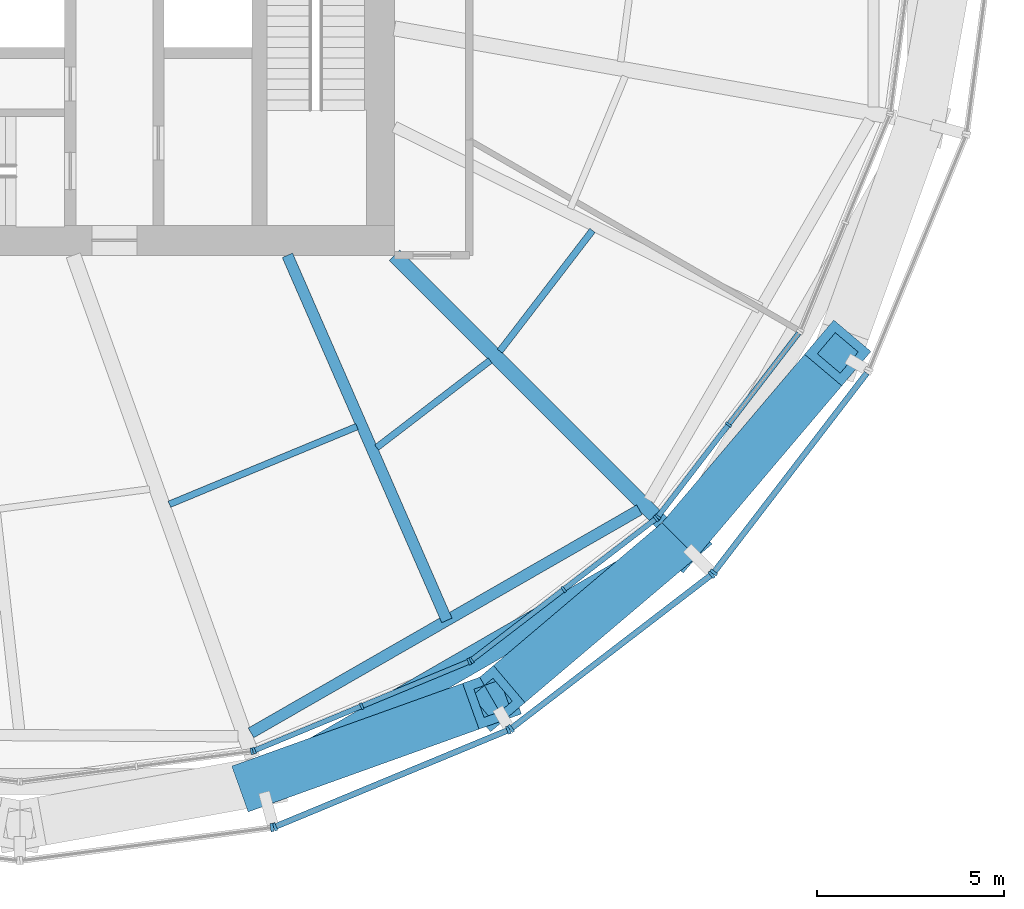
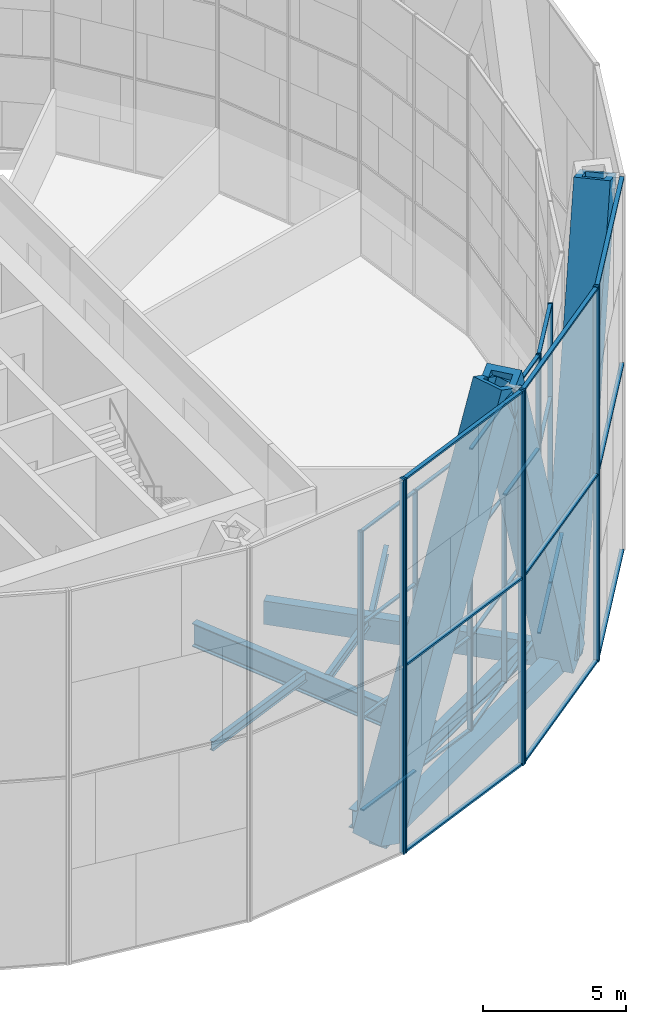
# One storey, part 4 of 26: 48 members, 7 beams, 8 elements without a shape of their own.
"""IFC4 building model written with IfcOpenShell, lengths in metres."""

from ifc_helpers import new_model, si_unit, direction, frame, origin, origin_2d, place, context, subcontext, project, spatial, rectangle, hollow_rectangle, i_section, extrude, material, material_profile, profile_set, type_object, element, aggregate, save


model = new_model("IFC4")

# Units and contexts
model_context = context("Model", 3, precision=1e-05, world=origin(), true_north=direction((0.0, 1.0)))
body_context = subcontext(model_context, "Body", "Model", "MODEL_VIEW")
ifc_project = project(units=[si_unit("LENGTHUNIT", "METRE"), si_unit("AREAUNIT", "SQUARE_METRE"), si_unit("VOLUMEUNIT", "CUBIC_METRE"), si_unit("PLANEANGLEUNIT", "RADIAN"), si_unit("MASSUNIT", "GRAM", prefix="KILO")], contexts=[model_context])

# Site, building, storey
site_placement = place(None, origin())
site = spatial("IfcSite", under=ifc_project, at=site_placement, CompositionType="ELEMENT")
building_placement = place(site_placement, origin())
building = spatial("IfcBuilding", under=site, at=building_placement, Name="Golbaran Civic Tower", CompositionType="ELEMENT")
storey_placement = place(building_placement, frame((0.0, 0.0, 69.0)))
storey = spatial("IfcBuildingStorey", under=building, at=storey_placement, Name="L16", CompositionType="ELEMENT", Elevation=69.0)

# Members
ifc_material_1 = material(Name="Steel S355", Category="steel")
ifc_material_profile_1 = material_profile(ifc_material_1, hollow_rectangle(XDim=1.300048828125, YDim=1.300048828125, WallThickness=0.25, at=origin_2d()), Name="BOX 1300x1300x250")
ifc_profile_set_1 = profile_set([ifc_material_profile_1], Name="Steel S355")
member_type_1 = type_object("IfcMemberType", Name="DIAGRID DIAGONAL BOX 1300x1300x250", PredefinedType="BRACE", material=ifc_profile_set_1)
for number, where, z_axis, x_axis, name in (
    (1, (6.4423828125, -24.04296875, -0.7099609375), (0.356500071861, 0.127819765109, 0.925510565262), (-0.337503066276, 0.941324428799, 0.0), "Diagonal D03-09R L16-L20"),
    (2, (17.6005859375, -17.6005859375, -0.7099609375), (0.244835995768, 0.288939520875, 0.925510285439), (-0.762932071589, 0.646478657143, 0.0), "Diagonal D03-10R L16-L20"),
    (3, (17.6005859375, -17.6005859375, -0.7099609375), (-0.288939520875, -0.244835995768, 0.925510285439), (0.646478657143, -0.762932071589, 0.0), "Diagonal D03-10L L16-L20"),
):
    element("IfcMember", number, at=place(storey_placement, frame(where, z_axis=z_axis, x_axis=x_axis)), inside=storey, type_object=member_type_1, Name=name, PredefinedType="BRACE", context=body_context, shape_type="SweptSolid", body=[
        extrude(hollow_rectangle(XDim=1.300048828125, YDim=1.300048828125, WallThickness=0.25, at=origin_2d()), origin(), (0.0, 0.0, 1.0), 17.287841796875),
    ])

# Beams
ifc_material_profile_2 = material_profile(ifc_material_1, hollow_rectangle(XDim=0.699951171875, YDim=0.699951171875, WallThickness=0.080078125, at=origin_2d()), Name="BOX 700x700x80")
ifc_profile_set_2 = profile_set([ifc_material_profile_2], Name="Steel S355")
beam_type_1 = type_object("IfcBeamType", Name="DIAGRID RING TIE BOX 700x700x80", PredefinedType="BEAM", material=ifc_profile_set_2)
beam_1_placement = place(storey_placement, frame((6.4423828125, -24.04296875, -0.7099609375), z_axis=(0.866018976832, 0.500011131643, 0.0), x_axis=(-0.500011131643, 0.866018976832, 0.0)))
element("IfcBeam", 4, at=beam_1_placement, inside=storey, type_object=beam_type_1, Name="Ring tie 285.00 L16", PredefinedType="BEAM", context=body_context, shape_type="SweptSolid", body=[
    extrude(hollow_rectangle(XDim=0.699951171875, YDim=0.699951171875, WallThickness=0.080078125, at=origin_2d()), origin(), (0.0, 0.0, 1.0), 12.884521484375),
])
ifc_material_profile_3 = material_profile(ifc_material_1, i_section(OverallWidth=0.300048828125, OverallDepth=0.800048828125, WebThickness=0.017578125, FlangeThickness=0.032958984375, FilletRadius=0.030029296875, at=origin_2d()), Name="HEB 800")
ifc_profile_set_3 = profile_set([ifc_material_profile_3], Name="Steel S355")
beam_type_2 = type_object("IfcBeamType", Name="EDGE BEAM HEB 800", PredefinedType="BEAM", material=ifc_profile_set_3)
beam_2_placement = place(storey_placement, frame((6.171142578125, -22.748046875, -0.60009765625), z_axis=(0.867116238809, 0.498105840554, 0.0), x_axis=(-0.498105840554, 0.867116238809, 0.0)))
element("IfcBeam", 5, at=beam_2_placement, inside=storey, type_object=beam_type_2, Name="Edge beam 285.00 L16", PredefinedType="BEAM", context=body_context, shape_type="SweptSolid", body=[
    extrude(i_section(OverallWidth=0.300048828125, OverallDepth=0.800048828125, WebThickness=0.017578125, FlangeThickness=0.032958984375, FilletRadius=0.030029296875, at=origin_2d()), origin(), (0.0, 0.0, 1.0), 11.9560546875),
])
ifc_material_profile_4 = material_profile(ifc_material_1, i_section(OverallWidth=0.179931640625, OverallDepth=0.39990234375, WebThickness=0.008544921875, FlangeThickness=0.013427734375, FilletRadius=0.02099609375, at=origin_2d()), Name="IPE 400")
ifc_profile_set_4 = profile_set([ifc_material_profile_4], Name="Steel S355")
beam_type_3 = type_object("IfcBeamType", Name="FLOOR INFILL BEAM IPE 400", PredefinedType="BEAM", material=ifc_profile_set_4)
beam_3_placement = place(storey_placement, frame((3.992431640625, -16.645751953125, -0.39990234375), z_axis=(0.923880088216, 0.382682090773, 0.0), x_axis=(-0.382682090773, 0.923880088216, 0.0)))
element("IfcBeam", 6, at=beam_3_placement, inside=storey, type_object=beam_type_3, Name="Infill beam 292.50 L16", PredefinedType="BEAM", context=body_context, shape_type="SweptSolid", body=[
    extrude(i_section(OverallWidth=0.179931640625, OverallDepth=0.39990234375, WebThickness=0.008544921875, FlangeThickness=0.013427734375, FilletRadius=0.02099609375, at=origin_2d()), origin(), (0.0, 0.0, 1.0), 5.418212890625),
])
beam_4_placement = place(storey_placement, frame((9.526123046875, -15.13134765625, -0.39990234375), z_axis=(0.79334166037, 0.608776650276, 0.0), x_axis=(-0.608776650276, 0.79334166037, 0.0)))
element("IfcBeam", 7, at=beam_4_placement, inside=storey, type_object=beam_type_3, Name="Infill beam 307.50 L16", PredefinedType="BEAM", context=body_context, shape_type="SweptSolid", body=[
    extrude(i_section(OverallWidth=0.179931640625, OverallDepth=0.39990234375, WebThickness=0.008544921875, FlangeThickness=0.013427734375, FilletRadius=0.02099609375, at=origin_2d()), origin(), (0.0, 0.0, 1.0), 3.816162109375),
])
beam_5_placement = place(storey_placement, frame((12.813232421875, -12.55859375, -0.39990234375), z_axis=(0.608754558613, 0.793358612084, 0.0), x_axis=(-0.793358612084, 0.608754558613, 0.0)))
element("IfcBeam", 8, at=beam_5_placement, inside=storey, type_object=beam_type_3, Name="Infill beam 322.50 L16", PredefinedType="BEAM", context=body_context, shape_type="SweptSolid", body=[
    extrude(i_section(OverallWidth=0.179931640625, OverallDepth=0.39990234375, WebThickness=0.008544921875, FlangeThickness=0.013427734375, FilletRadius=0.02099609375, at=origin_2d()), origin(), (0.0, 0.0, 1.0), 4.0615234375),
])

# Curtain wall, member
ifc_material_2 = material(Name="Aluminium and glass", Category="aluminium")
curtain_wall_type_1 = type_object("IfcCurtainWallType", Name="INNER SKIN CURTAIN WALL", PredefinedType="NOTDEFINED", material=ifc_material_2)
curtain_wall_1_placement = place(storey_placement, origin())
curtain_wall_1 = element("IfcCurtainWall", 9, at=curtain_wall_1_placement, inside=storey, type_object=curtain_wall_type_1, Name="Inner skin L16 facet 19 CW1", ObjectType="INNER SKIN", PredefinedType="USERDEFINED")
ifc_material_3 = material(Name="Aluminium", Category="aluminium")
ifc_material_profile_5 = material_profile(ifc_material_3, rectangle(XDim=0.179931640625, YDim=0.06494140625, at=origin_2d()), Name="INNER SKIN CURTAIN WALL MULLION")
ifc_profile_set_5 = profile_set([ifc_material_profile_5], Name="Aluminium")
member_type_2 = type_object("IfcMemberType", Name="INNER SKIN CURTAIN WALL MULLION", PredefinedType="MULLION", material=ifc_profile_set_5)
member_1_placement = place(storey_placement, frame((6.193115234375, -23.237548828125, 0.0), z_axis=(0.0, 0.0, 1.0), x_axis=(-0.130526192168, 0.991444861381, 0.0)))
member_1 = element("IfcMember", 10, at=member_1_placement, type_object=member_type_2, Name="CW1 mullion 3", PredefinedType="MULLION", context=body_context, shape_type="SweptSolid", body=[
    extrude(rectangle(XDim=0.179931640625, YDim=0.06494140625, at=origin_2d()), origin(), (0.0, 0.0, 1.0), 12.0),
])
aggregate(curtain_wall_1, [member_1])

# Curtain wall, members
curtain_wall_2_placement = place(storey_placement, origin())
curtain_wall_2 = element("IfcCurtainWall", 11, at=curtain_wall_2_placement, inside=storey, type_object=curtain_wall_type_1, Name="Inner skin L16 facet 20 CW1", ObjectType="INNER SKIN", PredefinedType="USERDEFINED")
member_2_placement = place(storey_placement, frame((6.25537109375, -23.220947265625, 0.0), z_axis=(0.0, 0.0, 1.0), x_axis=(-0.382683432446, 0.923879532478, 0.0)))
member_2 = element("IfcMember", 12, at=member_2_placement, type_object=member_type_2, Name="CW1 mullion 1", PredefinedType="MULLION", context=body_context, shape_type="SweptSolid", body=[
    extrude(rectangle(XDim=0.179931640625, YDim=0.06494140625, at=origin_2d()), origin(), (0.0, 0.0, 1.0), 12.0),
])
member_3_placement = place(storey_placement, frame((9.1259765625, -22.031982421875, 0.0), z_axis=(0.0, 0.0, 1.0), x_axis=(-0.382683432446, 0.923879532478, 0.0)))
member_3 = element("IfcMember", 13, at=member_3_placement, type_object=member_type_2, Name="CW1 mullion 2", PredefinedType="MULLION", context=body_context, shape_type="SweptSolid", body=[
    extrude(rectangle(XDim=0.179931640625, YDim=0.06494140625, at=origin_2d()), origin(), (0.0, 0.0, 1.0), 12.0),
])
member_4_placement = place(storey_placement, frame((11.99658203125, -20.843017578125, 0.0), z_axis=(0.0, 0.0, 1.0), x_axis=(-0.382683432446, 0.923879532478, 0.0)))
member_4 = element("IfcMember", 14, at=member_4_placement, type_object=member_type_2, Name="CW1 mullion 3", PredefinedType="MULLION", context=body_context, shape_type="SweptSolid", body=[
    extrude(rectangle(XDim=0.179931640625, YDim=0.06494140625, at=origin_2d()), origin(), (0.0, 0.0, 1.0), 12.0),
])

curtain_wall_3_placement = place(storey_placement, origin())
curtain_wall_3 = element("IfcCurtainWall", 15, at=curtain_wall_3_placement, inside=storey, type_object=curtain_wall_type_1, Name="Inner skin L16 facet 21 CW1", ObjectType="INNER SKIN", PredefinedType="USERDEFINED")
member_5_placement = place(storey_placement, frame((12.05224609375, -20.810791015625, 0.0), z_axis=(0.0, 0.0, 1.0), x_axis=(-0.608761428967, 0.793353340323, 0.0)))
member_5 = element("IfcMember", 16, at=member_5_placement, type_object=member_type_2, Name="CW1 mullion 1", PredefinedType="MULLION", context=body_context, shape_type="SweptSolid", body=[
    extrude(rectangle(XDim=0.179931640625, YDim=0.06494140625, at=origin_2d()), origin(), (0.0, 0.0, 1.0), 12.0),
])
member_6_placement = place(storey_placement, frame((14.517333984375, -18.919189453125, 0.0), z_axis=(0.0, 0.0, 1.0), x_axis=(-0.608761428967, 0.793353340323, 0.0)))
member_6 = element("IfcMember", 17, at=member_6_placement, type_object=member_type_2, Name="CW1 mullion 2", PredefinedType="MULLION", context=body_context, shape_type="SweptSolid", body=[
    extrude(rectangle(XDim=0.179931640625, YDim=0.06494140625, at=origin_2d()), origin(), (0.0, 0.0, 1.0), 12.0),
])
member_7_placement = place(storey_placement, frame((16.982177734375, -17.02783203125, 0.0), z_axis=(0.0, 0.0, 1.0), x_axis=(-0.608761428967, 0.793353340323, 0.0)))
member_7 = element("IfcMember", 18, at=member_7_placement, type_object=member_type_2, Name="CW1 mullion 3", PredefinedType="MULLION", context=body_context, shape_type="SweptSolid", body=[
    extrude(rectangle(XDim=0.179931640625, YDim=0.06494140625, at=origin_2d()), origin(), (0.0, 0.0, 1.0), 12.0),
])

curtain_wall_4_placement = place(storey_placement, origin())
curtain_wall_4 = element("IfcCurtainWall", 19, at=curtain_wall_4_placement, inside=storey, type_object=curtain_wall_type_1, Name="Inner skin L16 facet 22 CW1", ObjectType="INNER SKIN", PredefinedType="USERDEFINED")
member_8_placement = place(storey_placement, frame((17.02783203125, -16.982177734375, 0.0), z_axis=(0.0, 0.0, 1.0), x_axis=(-0.793353340323, 0.608761428967, 0.0)))
member_8 = element("IfcMember", 20, at=member_8_placement, type_object=member_type_2, Name="CW1 mullion 1", PredefinedType="MULLION", context=body_context, shape_type="SweptSolid", body=[
    extrude(rectangle(XDim=0.179931640625, YDim=0.06494140625, at=origin_2d()), origin(), (0.0, 0.0, 1.0), 12.0),
])
member_9_placement = place(storey_placement, frame((18.919189453125, -14.517333984375, 0.0), z_axis=(0.0, 0.0, 1.0), x_axis=(-0.793353340323, 0.608761428967, 0.0)))
member_9 = element("IfcMember", 21, at=member_9_placement, type_object=member_type_2, Name="CW1 mullion 2", PredefinedType="MULLION", context=body_context, shape_type="SweptSolid", body=[
    extrude(rectangle(XDim=0.179931640625, YDim=0.06494140625, at=origin_2d()), origin(), (0.0, 0.0, 1.0), 12.0),
])

# Member
ifc_material_profile_6 = material_profile(ifc_material_3, rectangle(XDim=0.139892578125, YDim=0.06494140625, at=origin_2d()), Name="INNER SKIN CURTAIN WALL TRANSOM")
ifc_profile_set_6 = profile_set([ifc_material_profile_6], Name="Aluminium")
member_type_3 = type_object("IfcMemberType", Name="INNER SKIN CURTAIN WALL TRANSOM", PredefinedType="USERDEFINED", material=ifc_profile_set_6)
member_10_placement = place(storey_placement, frame((6.285400390625, -23.20849609375, 0.032470703125), z_axis=(0.923891634543, 0.382654214168, 0.0), x_axis=(-0.382654214168, 0.923891634543, 0.0)))
member_10 = element("IfcMember", 22, at=member_10_placement, type_object=member_type_3, Name="CW1 transom 1.1", ObjectType="TRANSOM", PredefinedType="USERDEFINED", context=body_context, shape_type="SweptSolid", body=[
    extrude(rectangle(XDim=0.139892578125, YDim=0.06494140625, at=origin_2d()), origin(), (0.0, 0.0, 1.0), 3.0419921875),
])

member_11_placement = place(storey_placement, frame((6.285400390625, -23.20849609375, 4.0), z_axis=(0.923891634543, 0.382654214168, 0.0), x_axis=(-0.382654214168, 0.923891634543, 0.0)))
member_11 = element("IfcMember", 23, at=member_11_placement, type_object=member_type_3, Name="CW1 transom 1.2", ObjectType="TRANSOM", PredefinedType="USERDEFINED", context=body_context, shape_type="SweptSolid", body=[
    extrude(rectangle(XDim=0.139892578125, YDim=0.06494140625, at=origin_2d()), origin(), (0.0, 0.0, 1.0), 3.0419921875),
])

member_12_placement = place(storey_placement, frame((6.285400390625, -23.20849609375, 8.0), z_axis=(0.923891634543, 0.382654214168, 0.0), x_axis=(-0.382654214168, 0.923891634543, 0.0)))
member_12 = element("IfcMember", 24, at=member_12_placement, type_object=member_type_3, Name="CW1 transom 1.3", ObjectType="TRANSOM", PredefinedType="USERDEFINED", context=body_context, shape_type="SweptSolid", body=[
    extrude(rectangle(XDim=0.139892578125, YDim=0.06494140625, at=origin_2d()), origin(), (0.0, 0.0, 1.0), 3.0419921875),
])

member_13_placement = place(storey_placement, frame((6.285400390625, -23.20849609375, 11.967529296875), z_axis=(0.923891634543, 0.382654214168, 0.0), x_axis=(-0.382654214168, 0.923891634543, 0.0)))
member_13 = element("IfcMember", 25, at=member_13_placement, type_object=member_type_3, Name="CW1 transom 1.4", ObjectType="TRANSOM", PredefinedType="USERDEFINED", context=body_context, shape_type="SweptSolid", body=[
    extrude(rectangle(XDim=0.139892578125, YDim=0.06494140625, at=origin_2d()), origin(), (0.0, 0.0, 1.0), 3.0419921875),
])

member_14_placement = place(storey_placement, frame((9.156005859375, -22.01953125, 0.032470703125), z_axis=(0.923891634543, 0.382654214168, 0.0), x_axis=(-0.382654214168, 0.923891634543, 0.0)))
member_14 = element("IfcMember", 26, at=member_14_placement, type_object=member_type_3, Name="CW1 transom 2.1", ObjectType="TRANSOM", PredefinedType="USERDEFINED", context=body_context, shape_type="SweptSolid", body=[
    extrude(rectangle(XDim=0.139892578125, YDim=0.06494140625, at=origin_2d()), origin(), (0.0, 0.0, 1.0), 3.0419921875),
])

member_15_placement = place(storey_placement, frame((9.156005859375, -22.01953125, 4.0), z_axis=(0.923891634543, 0.382654214168, 0.0), x_axis=(-0.382654214168, 0.923891634543, 0.0)))
member_15 = element("IfcMember", 27, at=member_15_placement, type_object=member_type_3, Name="CW1 transom 2.2", ObjectType="TRANSOM", PredefinedType="USERDEFINED", context=body_context, shape_type="SweptSolid", body=[
    extrude(rectangle(XDim=0.139892578125, YDim=0.06494140625, at=origin_2d()), origin(), (0.0, 0.0, 1.0), 3.0419921875),
])

member_16_placement = place(storey_placement, frame((9.156005859375, -22.01953125, 8.0), z_axis=(0.923891634543, 0.382654214168, 0.0), x_axis=(-0.382654214168, 0.923891634543, 0.0)))
member_16 = element("IfcMember", 28, at=member_16_placement, type_object=member_type_3, Name="CW1 transom 2.3", ObjectType="TRANSOM", PredefinedType="USERDEFINED", context=body_context, shape_type="SweptSolid", body=[
    extrude(rectangle(XDim=0.139892578125, YDim=0.06494140625, at=origin_2d()), origin(), (0.0, 0.0, 1.0), 3.0419921875),
])

member_17_placement = place(storey_placement, frame((9.156005859375, -22.01953125, 11.967529296875), z_axis=(0.923891634543, 0.382654214168, 0.0), x_axis=(-0.382654214168, 0.923891634543, 0.0)))
member_17 = element("IfcMember", 29, at=member_17_placement, type_object=member_type_3, Name="CW1 transom 2.4", ObjectType="TRANSOM", PredefinedType="USERDEFINED", context=body_context, shape_type="SweptSolid", body=[
    extrude(rectangle(XDim=0.139892578125, YDim=0.06494140625, at=origin_2d()), origin(), (0.0, 0.0, 1.0), 3.0419921875),
])

aggregate(curtain_wall_2, [member_2, member_3, member_4, member_10, member_11, member_12, member_13, member_14, member_15, member_16, member_17])

member_18_placement = place(storey_placement, frame((12.078125, -20.791015625, 0.032470703125), z_axis=(0.79331563605, 0.608810562982, 0.0), x_axis=(-0.608810562982, 0.79331563605, 0.0)))
member_18 = element("IfcMember", 30, at=member_18_placement, type_object=member_type_3, Name="CW1 transom 1.1", ObjectType="TRANSOM", PredefinedType="USERDEFINED", context=body_context, shape_type="SweptSolid", body=[
    extrude(rectangle(XDim=0.139892578125, YDim=0.06494140625, at=origin_2d()), origin(), (0.0, 0.0, 1.0), 3.0419921875),
])

member_19_placement = place(storey_placement, frame((12.078125, -20.791015625, 4.0), z_axis=(0.79331563605, 0.608810562982, 0.0), x_axis=(-0.608810562982, 0.79331563605, 0.0)))
member_19 = element("IfcMember", 31, at=member_19_placement, type_object=member_type_3, Name="CW1 transom 1.2", ObjectType="TRANSOM", PredefinedType="USERDEFINED", context=body_context, shape_type="SweptSolid", body=[
    extrude(rectangle(XDim=0.139892578125, YDim=0.06494140625, at=origin_2d()), origin(), (0.0, 0.0, 1.0), 3.0419921875),
])

member_20_placement = place(storey_placement, frame((12.078125, -20.791015625, 8.0), z_axis=(0.79331563605, 0.608810562982, 0.0), x_axis=(-0.608810562982, 0.79331563605, 0.0)))
member_20 = element("IfcMember", 32, at=member_20_placement, type_object=member_type_3, Name="CW1 transom 1.3", ObjectType="TRANSOM", PredefinedType="USERDEFINED", context=body_context, shape_type="SweptSolid", body=[
    extrude(rectangle(XDim=0.139892578125, YDim=0.06494140625, at=origin_2d()), origin(), (0.0, 0.0, 1.0), 3.0419921875),
])

member_21_placement = place(storey_placement, frame((12.078125, -20.791015625, 11.967529296875), z_axis=(0.79331563605, 0.608810562982, 0.0), x_axis=(-0.608810562982, 0.79331563605, 0.0)))
member_21 = element("IfcMember", 33, at=member_21_placement, type_object=member_type_3, Name="CW1 transom 1.4", ObjectType="TRANSOM", PredefinedType="USERDEFINED", context=body_context, shape_type="SweptSolid", body=[
    extrude(rectangle(XDim=0.139892578125, YDim=0.06494140625, at=origin_2d()), origin(), (0.0, 0.0, 1.0), 3.0419921875),
])

member_22_placement = place(storey_placement, frame((14.54296875, -18.8994140625, 0.032470703125), z_axis=(0.793384137592, 0.608721291082, 0.0), x_axis=(-0.608721291082, 0.793384137592, 0.0)))
member_22 = element("IfcMember", 34, at=member_22_placement, type_object=member_type_3, Name="CW1 transom 2.1", ObjectType="TRANSOM", PredefinedType="USERDEFINED", context=body_context, shape_type="SweptSolid", body=[
    extrude(rectangle(XDim=0.139892578125, YDim=0.06494140625, at=origin_2d()), origin(), (0.0, 0.0, 1.0), 3.042236328125),
])

member_23_placement = place(storey_placement, frame((14.54296875, -18.8994140625, 4.0), z_axis=(0.793384137592, 0.608721291082, 0.0), x_axis=(-0.608721291082, 0.793384137592, 0.0)))
member_23 = element("IfcMember", 35, at=member_23_placement, type_object=member_type_3, Name="CW1 transom 2.2", ObjectType="TRANSOM", PredefinedType="USERDEFINED", context=body_context, shape_type="SweptSolid", body=[
    extrude(rectangle(XDim=0.139892578125, YDim=0.06494140625, at=origin_2d()), origin(), (0.0, 0.0, 1.0), 3.042236328125),
])

member_24_placement = place(storey_placement, frame((14.54296875, -18.8994140625, 8.0), z_axis=(0.793384137592, 0.608721291082, 0.0), x_axis=(-0.608721291082, 0.793384137592, 0.0)))
member_24 = element("IfcMember", 36, at=member_24_placement, type_object=member_type_3, Name="CW1 transom 2.3", ObjectType="TRANSOM", PredefinedType="USERDEFINED", context=body_context, shape_type="SweptSolid", body=[
    extrude(rectangle(XDim=0.139892578125, YDim=0.06494140625, at=origin_2d()), origin(), (0.0, 0.0, 1.0), 3.042236328125),
])

member_25_placement = place(storey_placement, frame((14.54296875, -18.8994140625, 11.967529296875), z_axis=(0.793384137592, 0.608721291082, 0.0), x_axis=(-0.608721291082, 0.793384137592, 0.0)))
member_25 = element("IfcMember", 37, at=member_25_placement, type_object=member_type_3, Name="CW1 transom 2.4", ObjectType="TRANSOM", PredefinedType="USERDEFINED", context=body_context, shape_type="SweptSolid", body=[
    extrude(rectangle(XDim=0.139892578125, YDim=0.06494140625, at=origin_2d()), origin(), (0.0, 0.0, 1.0), 3.042236328125),
])

aggregate(curtain_wall_3, [member_5, member_6, member_7, member_18, member_19, member_20, member_21, member_22, member_23, member_24, member_25])

member_26_placement = place(storey_placement, frame((17.047607421875, -16.95654296875, 0.032470703125), z_axis=(0.608721291082, 0.793384137592, 0.0), x_axis=(-0.793384137592, 0.608721291082, 0.0)))
member_26 = element("IfcMember", 38, at=member_26_placement, type_object=member_type_3, Name="CW1 transom 1.1", ObjectType="TRANSOM", PredefinedType="USERDEFINED", context=body_context, shape_type="SweptSolid", body=[
    extrude(rectangle(XDim=0.139892578125, YDim=0.06494140625, at=origin_2d()), origin(), (0.0, 0.0, 1.0), 3.042236328125),
])

member_27_placement = place(storey_placement, frame((17.047607421875, -16.95654296875, 4.0), z_axis=(0.608721291082, 0.793384137592, 0.0), x_axis=(-0.793384137592, 0.608721291082, 0.0)))
member_27 = element("IfcMember", 39, at=member_27_placement, type_object=member_type_3, Name="CW1 transom 1.2", ObjectType="TRANSOM", PredefinedType="USERDEFINED", context=body_context, shape_type="SweptSolid", body=[
    extrude(rectangle(XDim=0.139892578125, YDim=0.06494140625, at=origin_2d()), origin(), (0.0, 0.0, 1.0), 3.042236328125),
])

member_28_placement = place(storey_placement, frame((17.047607421875, -16.95654296875, 8.0), z_axis=(0.608721291082, 0.793384137592, 0.0), x_axis=(-0.793384137592, 0.608721291082, 0.0)))
member_28 = element("IfcMember", 40, at=member_28_placement, type_object=member_type_3, Name="CW1 transom 1.3", ObjectType="TRANSOM", PredefinedType="USERDEFINED", context=body_context, shape_type="SweptSolid", body=[
    extrude(rectangle(XDim=0.139892578125, YDim=0.06494140625, at=origin_2d()), origin(), (0.0, 0.0, 1.0), 3.042236328125),
])

member_29_placement = place(storey_placement, frame((17.047607421875, -16.95654296875, 11.967529296875), z_axis=(0.608721291082, 0.793384137592, 0.0), x_axis=(-0.793384137592, 0.608721291082, 0.0)))
member_29 = element("IfcMember", 41, at=member_29_placement, type_object=member_type_3, Name="CW1 transom 1.4", ObjectType="TRANSOM", PredefinedType="USERDEFINED", context=body_context, shape_type="SweptSolid", body=[
    extrude(rectangle(XDim=0.139892578125, YDim=0.06494140625, at=origin_2d()), origin(), (0.0, 0.0, 1.0), 3.042236328125),
])

member_30_placement = place(storey_placement, frame((18.93896484375, -14.491455078125, 0.032470703125), z_axis=(0.608810562982, 0.79331563605, 0.0), x_axis=(-0.79331563605, 0.608810562982, 0.0)))
member_30 = element("IfcMember", 42, at=member_30_placement, type_object=member_type_3, Name="CW1 transom 2.1", ObjectType="TRANSOM", PredefinedType="USERDEFINED", context=body_context, shape_type="SweptSolid", body=[
    extrude(rectangle(XDim=0.139892578125, YDim=0.06494140625, at=origin_2d()), origin(), (0.0, 0.0, 1.0), 3.0419921875),
])

aggregate(curtain_wall_4, [member_8, member_9, member_26, member_27, member_28, member_29, member_30])

# Curtain wall, member
curtain_wall_type_2 = type_object("IfcCurtainWallType", Name="OUTER SKIN TERRACOTTA SCREEN", PredefinedType="NOTDEFINED", material=ifc_material_2)
curtain_wall_5_placement = place(storey_placement, origin())
curtain_wall_5 = element("IfcCurtainWall", 43, at=curtain_wall_5_placement, inside=storey, type_object=curtain_wall_type_2, Name="Outer skin L16 facet 19 CW3", ObjectType="OUTER SKIN", PredefinedType="USERDEFINED")
ifc_material_profile_7 = material_profile(ifc_material_3, rectangle(XDim=0.219970703125, YDim=0.080078125, at=origin_2d()), Name="OUTER SKIN TERRACOTTA SCREEN MULLION")
ifc_profile_set_7 = profile_set([ifc_material_profile_7], Name="Aluminium")
member_type_4 = type_object("IfcMemberType", Name="OUTER SKIN TERRACOTTA SCREEN MULLION", PredefinedType="MULLION", material=ifc_profile_set_7)
member_31_placement = place(storey_placement, frame((6.731201171875, -25.27490234375, -0.7099609375), z_axis=(0.0, 0.0, 1.0), x_axis=(-0.130526192151, 0.991444861383, 0.0)))
member_31 = element("IfcMember", 44, at=member_31_placement, type_object=member_type_4, Name="CW3 mullion 2", PredefinedType="MULLION", context=body_context, shape_type="SweptSolid", body=[
    extrude(rectangle(XDim=0.219970703125, YDim=0.080078125, at=origin_2d()), origin(), (0.0, 0.0, 1.0), 16.0),
])
aggregate(curtain_wall_5, [member_31])

# Curtain wall, members
curtain_wall_6_placement = place(storey_placement, origin())
curtain_wall_6 = element("IfcCurtainWall", 45, at=curtain_wall_6_placement, inside=storey, type_object=curtain_wall_type_2, Name="Outer skin L16 facet 20 CW3", ObjectType="OUTER SKIN", PredefinedType="USERDEFINED")
member_32_placement = place(storey_placement, frame((6.807861328125, -25.25439453125, -0.7099609375), z_axis=(0.0, 0.0, 1.0), x_axis=(-0.382683432478, 0.923879532465, 0.0)))
member_32 = element("IfcMember", 46, at=member_32_placement, type_object=member_type_4, Name="CW3 mullion 1", PredefinedType="MULLION", context=body_context, shape_type="SweptSolid", body=[
    extrude(rectangle(XDim=0.219970703125, YDim=0.080078125, at=origin_2d()), origin(), (0.0, 0.0, 1.0), 16.0),
])
member_33_placement = place(storey_placement, frame((13.04345703125, -22.67138671875, -0.7099609375), z_axis=(0.0, 0.0, 1.0), x_axis=(-0.382683432478, 0.923879532465, 0.0)))
member_33 = element("IfcMember", 47, at=member_33_placement, type_object=member_type_4, Name="CW3 mullion 2", PredefinedType="MULLION", context=body_context, shape_type="SweptSolid", body=[
    extrude(rectangle(XDim=0.219970703125, YDim=0.080078125, at=origin_2d()), origin(), (0.0, 0.0, 1.0), 16.0),
])

curtain_wall_7_placement = place(storey_placement, origin())
curtain_wall_7 = element("IfcCurtainWall", 48, at=curtain_wall_7_placement, inside=storey, type_object=curtain_wall_type_2, Name="Outer skin L16 facet 21 CW3", ObjectType="OUTER SKIN", PredefinedType="USERDEFINED")
member_34_placement = place(storey_placement, frame((13.1123046875, -22.6318359375, -0.7099609375), z_axis=(0.0, 0.0, 1.0), x_axis=(-0.608761428912, 0.793353340366, 0.0)))
member_34 = element("IfcMember", 49, at=member_34_placement, type_object=member_type_4, Name="CW3 mullion 1", PredefinedType="MULLION", context=body_context, shape_type="SweptSolid", body=[
    extrude(rectangle(XDim=0.219970703125, YDim=0.080078125, at=origin_2d()), origin(), (0.0, 0.0, 1.0), 16.0),
])
member_35_placement = place(storey_placement, frame((18.466796875, -18.52294921875, -0.7099609375), z_axis=(0.0, 0.0, 1.0), x_axis=(-0.608761428912, 0.793353340366, 0.0)))
member_35 = element("IfcMember", 50, at=member_35_placement, type_object=member_type_4, Name="CW3 mullion 2", PredefinedType="MULLION", context=body_context, shape_type="SweptSolid", body=[
    extrude(rectangle(XDim=0.219970703125, YDim=0.080078125, at=origin_2d()), origin(), (0.0, 0.0, 1.0), 16.0),
])

# Curtain wall, member
curtain_wall_8_placement = place(storey_placement, origin())
curtain_wall_8 = element("IfcCurtainWall", 51, at=curtain_wall_8_placement, inside=storey, type_object=curtain_wall_type_2, Name="Outer skin L16 facet 22 CW3", ObjectType="OUTER SKIN", PredefinedType="USERDEFINED")
member_36_placement = place(storey_placement, frame((18.52294921875, -18.466796875, -0.7099609375), z_axis=(0.0, 0.0, 1.0), x_axis=(-0.793353340366, 0.608761428912, 0.0)))
member_36 = element("IfcMember", 52, at=member_36_placement, type_object=member_type_4, Name="CW3 mullion 1", PredefinedType="MULLION", context=body_context, shape_type="SweptSolid", body=[
    extrude(rectangle(XDim=0.219970703125, YDim=0.080078125, at=origin_2d()), origin(), (0.0, 0.0, 1.0), 16.0),
])

# Member
ifc_material_profile_8 = material_profile(ifc_material_3, rectangle(XDim=0.159912109375, YDim=0.080078125, at=origin_2d()), Name="OUTER SKIN TERRACOTTA SCREEN TRANSOM")
ifc_profile_set_8 = profile_set([ifc_material_profile_8], Name="Aluminium")
member_type_5 = type_object("IfcMemberType", Name="OUTER SKIN TERRACOTTA SCREEN TRANSOM", PredefinedType="USERDEFINED", material=ifc_profile_set_8)
member_37_placement = place(storey_placement, frame((6.844970703125, -25.239013671875, -0.669921875), z_axis=(0.92387852154, 0.382685873056, 0.0), x_axis=(-0.382685873056, 0.92387852154, 0.0)))
member_37 = element("IfcMember", 53, at=member_37_placement, type_object=member_type_5, Name="CW3 transom 1.1", ObjectType="TRANSOM", PredefinedType="USERDEFINED", context=body_context, shape_type="SweptSolid", body=[
    extrude(rectangle(XDim=0.159912109375, YDim=0.080078125, at=origin_2d()), origin(), (0.0, 0.0, 1.0), 6.669189453125),
])

member_38_placement = place(storey_placement, frame((6.844970703125, -25.239013671875, 7.2900390625), z_axis=(0.92387852154, 0.382685873056, 0.0), x_axis=(-0.382685873056, 0.92387852154, 0.0)))
member_38 = element("IfcMember", 54, at=member_38_placement, type_object=member_type_5, Name="CW3 transom 1.2", ObjectType="TRANSOM", PredefinedType="USERDEFINED", context=body_context, shape_type="SweptSolid", body=[
    extrude(rectangle(XDim=0.159912109375, YDim=0.080078125, at=origin_2d()), origin(), (0.0, 0.0, 1.0), 6.669189453125),
])

member_39_placement = place(storey_placement, frame((6.844970703125, -25.239013671875, 15.25), z_axis=(0.92387852154, 0.382685873056, 0.0), x_axis=(-0.382685873056, 0.92387852154, 0.0)))
member_39 = element("IfcMember", 55, at=member_39_placement, type_object=member_type_5, Name="CW3 transom 1.3", ObjectType="TRANSOM", PredefinedType="USERDEFINED", context=body_context, shape_type="SweptSolid", body=[
    extrude(rectangle(XDim=0.159912109375, YDim=0.080078125, at=origin_2d()), origin(), (0.0, 0.0, 1.0), 6.669189453125),
])

aggregate(curtain_wall_6, [member_32, member_33, member_37, member_38, member_39])

member_40_placement = place(storey_placement, frame((13.14404296875, -22.607421875, -0.669921875), z_axis=(0.79334468567, 0.608772707765, 0.0), x_axis=(-0.608772707765, 0.79334468567, 0.0)))
member_40 = element("IfcMember", 56, at=member_40_placement, type_object=member_type_5, Name="CW3 transom 1.1", ObjectType="TRANSOM", PredefinedType="USERDEFINED", context=body_context, shape_type="SweptSolid", body=[
    extrude(rectangle(XDim=0.159912109375, YDim=0.080078125, at=origin_2d()), origin(), (0.0, 0.0, 1.0), 6.669189453125),
])

member_41_placement = place(storey_placement, frame((13.14404296875, -22.607421875, 7.2900390625), z_axis=(0.79334468567, 0.608772707765, 0.0), x_axis=(-0.608772707765, 0.79334468567, 0.0)))
member_41 = element("IfcMember", 57, at=member_41_placement, type_object=member_type_5, Name="CW3 transom 1.2", ObjectType="TRANSOM", PredefinedType="USERDEFINED", context=body_context, shape_type="SweptSolid", body=[
    extrude(rectangle(XDim=0.159912109375, YDim=0.080078125, at=origin_2d()), origin(), (0.0, 0.0, 1.0), 6.669189453125),
])

member_42_placement = place(storey_placement, frame((13.14404296875, -22.607421875, 15.25), z_axis=(0.79334468567, 0.608772707765, 0.0), x_axis=(-0.608772707765, 0.79334468567, 0.0)))
member_42 = element("IfcMember", 58, at=member_42_placement, type_object=member_type_5, Name="CW3 transom 1.3", ObjectType="TRANSOM", PredefinedType="USERDEFINED", context=body_context, shape_type="SweptSolid", body=[
    extrude(rectangle(XDim=0.159912109375, YDim=0.080078125, at=origin_2d()), origin(), (0.0, 0.0, 1.0), 6.669189453125),
])

aggregate(curtain_wall_7, [member_34, member_35, member_40, member_41, member_42])

member_43_placement = place(storey_placement, frame((18.54736328125, -18.43505859375, -0.669921875), z_axis=(0.608772707765, 0.79334468567, 0.0), x_axis=(-0.79334468567, 0.608772707765, 0.0)))
member_43 = element("IfcMember", 59, at=member_43_placement, type_object=member_type_5, Name="CW3 transom 1.1", ObjectType="TRANSOM", PredefinedType="USERDEFINED", context=body_context, shape_type="SweptSolid", body=[
    extrude(rectangle(XDim=0.159912109375, YDim=0.080078125, at=origin_2d()), origin(), (0.0, 0.0, 1.0), 6.669189453125),
])

member_44_placement = place(storey_placement, frame((18.54736328125, -18.43505859375, 7.2900390625), z_axis=(0.608772707765, 0.79334468567, 0.0), x_axis=(-0.79334468567, 0.608772707765, 0.0)))
member_44 = element("IfcMember", 60, at=member_44_placement, type_object=member_type_5, Name="CW3 transom 1.2", ObjectType="TRANSOM", PredefinedType="USERDEFINED", context=body_context, shape_type="SweptSolid", body=[
    extrude(rectangle(XDim=0.159912109375, YDim=0.080078125, at=origin_2d()), origin(), (0.0, 0.0, 1.0), 6.669189453125),
])

member_45_placement = place(storey_placement, frame((18.54736328125, -18.43505859375, 15.25), z_axis=(0.608772707765, 0.79334468567, 0.0), x_axis=(-0.79334468567, 0.608772707765, 0.0)))
member_45 = element("IfcMember", 61, at=member_45_placement, type_object=member_type_5, Name="CW3 transom 1.3", ObjectType="TRANSOM", PredefinedType="USERDEFINED", context=body_context, shape_type="SweptSolid", body=[
    extrude(rectangle(XDim=0.159912109375, YDim=0.080078125, at=origin_2d()), origin(), (0.0, 0.0, 1.0), 6.669189453125),
])

aggregate(curtain_wall_8, [member_36, member_43, member_44, member_45])

# Beams
ifc_material_profile_9 = material_profile(ifc_material_1, hollow_rectangle(XDim=0.39990234375, YDim=1.0, WallThickness=0.0400390625, at=origin_2d()), Name="BOX 1000x400x40")
ifc_profile_set_9 = profile_set([ifc_material_profile_9], Name="Steel S355")
beam_type_4 = type_object("IfcBeamType", Name="RADIAL FLOOR BEAM BOX 1000x400x40", PredefinedType="BEAM", material=ifc_profile_set_9)
beam_6_placement = place(storey_placement, frame((10.0, -10.0, -0.7099609375), z_axis=(0.707106781187, -0.707106781187, 0.0), x_axis=(0.707106781187, 0.707106781187, 0.0)))
element("IfcBeam", 62, at=beam_6_placement, inside=storey, type_object=beam_type_4, Name="Radial beam 315.00 L16", PredefinedType="BEAM", context=body_context, shape_type="SweptSolid", body=[
    extrude(hollow_rectangle(XDim=0.39990234375, YDim=1.0, WallThickness=0.0400390625, at=origin_2d()), origin(), (0.0, 0.0, 1.0), 10.085205078125),
])
ifc_material_profile_10 = material_profile(ifc_material_1, i_section(OverallWidth=0.300048828125, OverallDepth=1.0, WebThickness=0.01904296875, FlangeThickness=0.035888671875, FilletRadius=0.030029296875, at=origin_2d()), Name="HEB 1000")
ifc_profile_set_10 = profile_set([ifc_material_profile_10], Name="Steel S355")
beam_type_5 = type_object("IfcBeamType", Name="SECONDARY FLOOR BEAM HEB 1000", PredefinedType="BEAM", material=ifc_profile_set_10)
beam_7_placement = place(storey_placement, frame((7.142822265625, -10.0, -0.7099609375), z_axis=(0.400310516084, -0.916379556032, 0.0), x_axis=(0.916379556032, 0.400310516084, 0.0)))
element("IfcBeam", 63, at=beam_7_placement, inside=storey, type_object=beam_type_5, Name="Secondary beam 300.00 L16", PredefinedType="BEAM", context=body_context, shape_type="SweptSolid", body=[
    extrude(i_section(OverallWidth=0.300048828125, OverallDepth=1.0, WebThickness=0.01904296875, FlangeThickness=0.035888671875, FilletRadius=0.030029296875, at=origin_2d()), origin(), (0.0, 0.0, 1.0), 10.6337890625),
])

save(model, "model.ifc")
